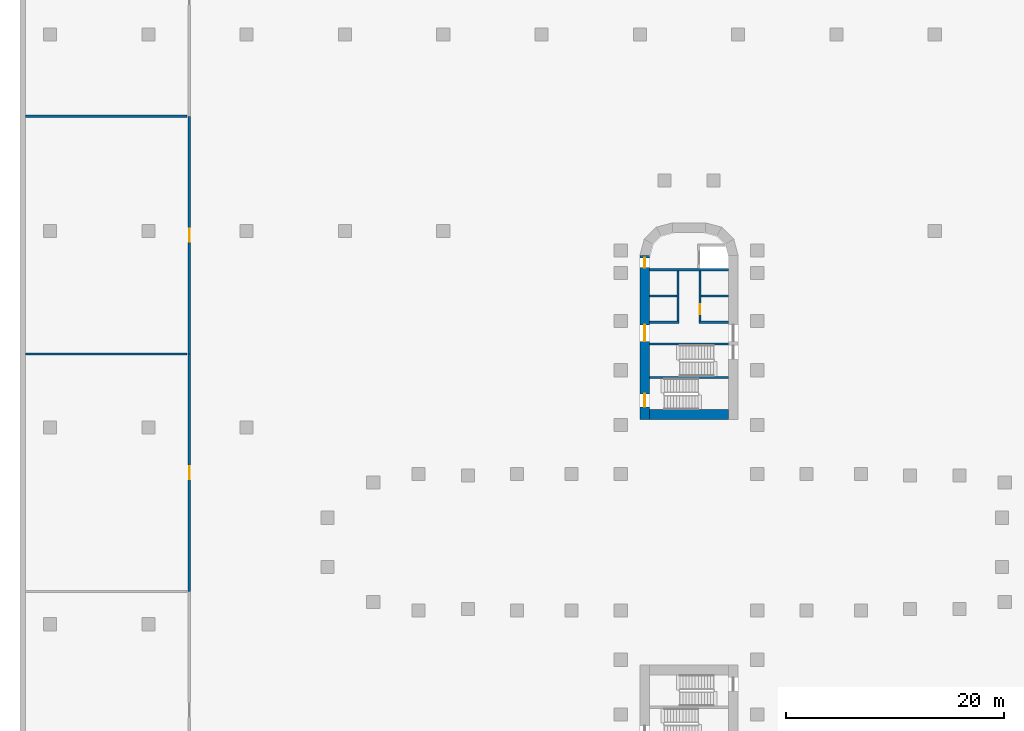
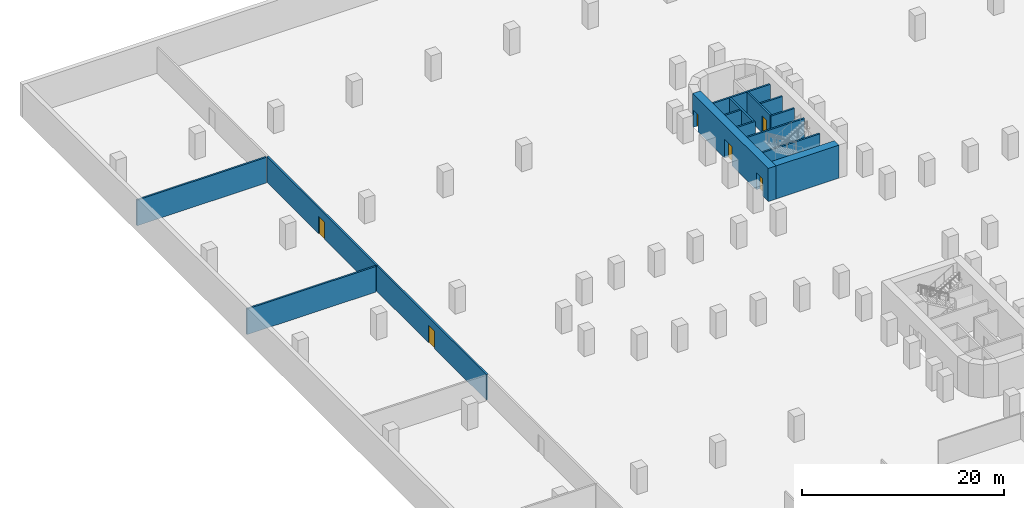
# One storey, part 8 of 11: 15 walls, 6 doors, 6 openings.
"""IFC4 building model written with IfcOpenShell, lengths in metres."""

from ifc_helpers import new_model, si_unit, direction, frame, frame_2d, origin, place, context, subcontext, project, spatial, rectangle, extrude, material, layer, layer_set, type_object, element, fill, save


model = new_model("IFC4")

# Units and contexts
model_context = context("Model", 3, precision=1e-05, world=origin(), true_north=direction((0.0, 1.0)))
body_context = subcontext(model_context, "Body", "Model", "MODEL_VIEW")
ifc_project = project(units=[si_unit("LENGTHUNIT", "METRE"), si_unit("AREAUNIT", "SQUARE_METRE"), si_unit("VOLUMEUNIT", "CUBIC_METRE"), si_unit("PLANEANGLEUNIT", "RADIAN"), si_unit("MASSUNIT", "GRAM", prefix="KILO")], contexts=[model_context])

# Site, building, storey
site_placement = place(None, origin())
site = spatial("IfcSite", under=ifc_project, at=site_placement, CompositionType="ELEMENT")
building_placement = place(site_placement, origin())
building = spatial("IfcBuilding", under=site, at=building_placement, Name="Zarbagh Exchange Tower", CompositionType="ELEMENT")
storey_placement = place(building_placement, frame((0.0, 0.0, -4.0)))
storey = spatial("IfcBuildingStorey", under=building, at=storey_placement, Name="B1", CompositionType="ELEMENT", Elevation=-4.0)

# Wall, opening, door
ifc_material_1 = material(Name="Concrete block partition", Category="concrete")
ifc_layer_1 = layer(ifc_material_1, 0.199951171875)
ifc_layer_set_1 = layer_set([ifc_layer_1], Name="Fire-rated block partition 200 EI 120")
wall_type_1 = type_object("IfcWallType", Name="Fire-rated block partition 200 EI 120", PredefinedType="PARTITIONING", material=ifc_layer_set_1)
wall_1_placement = place(storey_placement, frame((-45.75, -4.5, 0.0), z_axis=(0.0, 0.0, 1.0), x_axis=(0.0, 1.0, 0.0)))
wall_1 = element("IfcWall", 1, at=wall_1_placement, inside=storey, type_object=wall_type_1, Name="WL-B1-W004", PredefinedType="PARTITIONING", context=body_context, shape_type="SweptSolid", body=[
    extrude(rectangle(XDim=21.75, YDim=0.199951171875, at=frame_2d((10.875, 0.0))), origin(), (0.0, 0.0, 1.0), 3.10009765625),
])
opening_1_placement = place(wall_1_placement, frame((10.27490234375, 0.0, 0.0)))
opening_1 = element("IfcOpeningElement", 2, at=opening_1_placement, cuts=wall_1, Name="Opening D39", PredefinedType="OPENING", context=body_context, shape_type="SweptSolid", body=[
    extrude(rectangle(XDim=1.199951171875, YDim=2.10009765625, at=frame_2d((0.60009765625, 1.050048828125))), frame((0.0, 0.10986328125, 0.0), z_axis=(0.0, -1.0, 0.0), x_axis=(1.0, 0.0, 0.0)), (0.0, 0.0, 1.0), 0.219970703125),
])
ifc_material_2 = material(Name="Steel door set", Category="steel")
door_type_1 = type_object("IfcDoorType", Name="Door single 1200x2100 EI 120", OperationType="SINGLE_SWING_LEFT", PredefinedType="DOOR", material=ifc_material_2)
door_1_placement = place(opening_1_placement, origin())
door_1 = element("IfcDoor", 3, at=door_1_placement, inside=storey, type_object=door_type_1, Name="D04", OperationType="SINGLE_SWING_LEFT", OverallHeight=2.10009765625, OverallWidth=1.199951171875, PredefinedType="DOOR", context=body_context, shape_type="SweptSolid", body=[
    extrude(rectangle(XDim=1.199951171875, YDim=2.10009765625, at=frame_2d((0.60009765625, 1.050048828125))), frame((0.0, 0.02490234375, 0.0), z_axis=(0.0, -1.0, 0.0), x_axis=(1.0, 0.0, 0.0)), (0.0, 0.0, 1.0), 0.050048828125),
])
fill(opening_1, door_1)

wall_2_placement = place(storey_placement, frame((-45.75, 17.25, 0.0), z_axis=(0.0, 0.0, 1.0), x_axis=(0.0, 1.0, 0.0)))
wall_2 = element("IfcWall", 4, at=wall_2_placement, inside=storey, type_object=wall_type_1, Name="WL-B1-W005", PredefinedType="PARTITIONING", context=body_context, shape_type="SweptSolid", body=[
    extrude(rectangle(XDim=21.75, YDim=0.199951171875, at=frame_2d((10.875, 0.0))), origin(), (0.0, 0.0, 1.0), 3.10009765625),
])
opening_2_placement = place(wall_2_placement, frame((10.27490234375, 0.0, 0.0)))
opening_2 = element("IfcOpeningElement", 5, at=opening_2_placement, cuts=wall_2, Name="Opening D05", PredefinedType="OPENING", context=body_context, shape_type="SweptSolid", body=[
    extrude(rectangle(XDim=1.199951171875, YDim=2.10009765625, at=frame_2d((0.60009765625, 1.050048828125))), frame((0.0, 0.10986328125, 0.0), z_axis=(0.0, -1.0, 0.0), x_axis=(1.0, 0.0, 0.0)), (0.0, 0.0, 1.0), 0.219970703125),
])
door_2_placement = place(opening_2_placement, origin())
door_2 = element("IfcDoor", 6, at=door_2_placement, inside=storey, type_object=door_type_1, Name="D05", OperationType="SINGLE_SWING_LEFT", OverallHeight=2.10009765625, OverallWidth=1.199951171875, PredefinedType="DOOR", context=body_context, shape_type="SweptSolid", body=[
    extrude(rectangle(XDim=1.199951171875, YDim=2.10009765625, at=frame_2d((0.60009765625, 1.050048828125))), frame((0.0, 0.02490234375, 0.0), z_axis=(0.0, -1.0, 0.0), x_axis=(1.0, 0.0, 0.0)), (0.0, 0.0, 1.0), 0.050048828125),
])
fill(opening_2, door_2)

# Walls
for number, where, z_axis, x_axis, name in (
    (7, (-60.75, 17.25, 0.0), (0.0, 0.0, 1.0), (1.0, 0.0, 0.0), "WL-B1-W012"),
    (8, (-60.75, 39.0, 0.0), (0.0, 0.0, 1.0), (1.0, 0.0, 0.0), "WL-B1-W013"),
):
    element("IfcWall", number, at=place(storey_placement, frame(where, z_axis=z_axis, x_axis=x_axis)), inside=storey, type_object=wall_type_1, Name=name, PredefinedType="PARTITIONING", context=body_context, shape_type="SweptSolid", body=[
        extrude(rectangle(XDim=14.800048828125, YDim=0.199951171875, at=frame_2d((7.39990234375, 0.0))), origin(), (0.0, 0.0, 1.0), 3.10009765625),
    ])

# Wall, openings, doors
ifc_material_3 = material(Name="Concrete C60/75", Category="concrete")
ifc_layer_2 = layer(ifc_material_3, 0.89990234375)
ifc_layer_set_2 = layer_set([ifc_layer_2], Name="RC core wall 900 C60/75")
wall_type_2 = type_object("IfcWallType", Name="RC core wall 900 C60/75", PredefinedType="SHEAR", material=ifc_layer_set_2)
wall_3_placement = place(storey_placement, frame((-4.050048828125, 11.25, 0.0), z_axis=(0.0, 0.0, 1.0), x_axis=(0.0, 1.0, 0.0)))
wall_3 = element("IfcWall", 9, at=wall_3_placement, inside=storey, type_object=wall_type_2, Name="CW1 core N W", PredefinedType="SHEAR", context=body_context, shape_type="SweptSolid", body=[
    extrude(rectangle(XDim=15.0, YDim=0.89990234375, at=frame_2d((7.5, 0.0))), origin(), (0.0, 0.0, 1.0), 4.0),
])
opening_3_placement = place(wall_3_placement, frame((7.14990234375, 0.0, 0.0)))
opening_3 = element("IfcOpeningElement", 10, at=opening_3_placement, cuts=wall_3, Name="Opening CD1-1500", PredefinedType="OPENING", context=body_context, shape_type="SweptSolid", body=[
    extrude(rectangle(XDim=1.5, YDim=2.300048828125, at=frame_2d((0.75, 1.14990234375))), frame((0.0, 0.4599609375, 0.0), z_axis=(0.0, -1.0, 0.0), x_axis=(1.0, 0.0, 0.0)), (0.0, 0.0, 1.0), 0.919921875),
])
opening_4_placement = place(wall_3_placement, frame((13.89990234375, 0.0, 0.0)))
opening_4 = element("IfcOpeningElement", 11, at=opening_4_placement, cuts=wall_3, Name="Opening CD2-900", PredefinedType="OPENING", context=body_context, shape_type="SweptSolid", body=[
    extrude(rectangle(XDim=0.89990234375, YDim=2.10009765625, at=frame_2d((0.449951171875, 1.050048828125))), frame((0.0, 0.4599609375, 0.0), z_axis=(0.0, -1.0, 0.0), x_axis=(1.0, 0.0, 0.0)), (0.0, 0.0, 1.0), 0.919921875),
])
opening_5_placement = place(wall_3_placement, frame((1.14990234375, 0.0, 0.0)))
opening_5 = element("IfcOpeningElement", 12, at=opening_5_placement, cuts=wall_3, Name="Opening SD1-1200", PredefinedType="OPENING", context=body_context, shape_type="SweptSolid", body=[
    extrude(rectangle(XDim=1.199951171875, YDim=2.10009765625, at=frame_2d((0.60009765625, 1.050048828125))), frame((0.0, 0.4599609375, 0.0), z_axis=(0.0, -1.0, 0.0), x_axis=(1.0, 0.0, 0.0)), (0.0, 0.0, 1.0), 0.919921875),
])
ifc_material_4 = material(Name="Steel", Category="steel")
door_type_2 = type_object("IfcDoorType", Name="Exit stair door 1200 x 2100", OperationType="NOTDEFINED", PredefinedType="DOOR", material=ifc_material_4)
door_3_placement = place(opening_5_placement, origin())
door_3 = element("IfcDoor", 13, at=door_3_placement, inside=storey, type_object=door_type_2, Name="North core stair door ST2", OperationType="SINGLE_SWING_RIGHT", OverallHeight=2.10009765625, OverallWidth=1.199951171875, PredefinedType="DOOR", context=body_context, shape_type="SweptSolid", body=[
    extrude(rectangle(XDim=1.199951171875, YDim=2.10009765625, at=frame_2d((0.60009765625, 1.050048828125))), frame((0.0, 0.02490234375, 0.0), z_axis=(0.0, -1.0, 0.0), x_axis=(1.0, 0.0, 0.0)), (0.0, 0.0, 1.0), 0.050048828125),
])
fill(opening_5, door_3)
door_type_3 = type_object("IfcDoorType", Name="Firefighting lobby door 900 x 2100", OperationType="NOTDEFINED", PredefinedType="DOOR", material=ifc_material_4)
door_4_placement = place(opening_4_placement, origin())
door_4 = element("IfcDoor", 14, at=door_4_placement, inside=storey, type_object=door_type_3, Name="North core firefighting lobby door FF-W", OperationType="SINGLE_SWING_LEFT", OverallHeight=2.10009765625, OverallWidth=0.89990234375, PredefinedType="DOOR", context=body_context, shape_type="SweptSolid", body=[
    extrude(rectangle(XDim=0.89990234375, YDim=2.10009765625, at=frame_2d((0.449951171875, 1.050048828125))), frame((0.0, 0.02490234375, 0.0), z_axis=(0.0, -1.0, 0.0), x_axis=(1.0, 0.0, 0.0)), (0.0, 0.0, 1.0), 0.050048828125),
])
fill(opening_4, door_4)
door_type_4 = type_object("IfcDoorType", Name="Lift lobby double door 1500 x 2300", OperationType="NOTDEFINED", PredefinedType="DOOR", material=ifc_material_4)
door_5_placement = place(opening_3_placement, origin())
door_5 = element("IfcDoor", 15, at=door_5_placement, inside=storey, type_object=door_type_4, Name="North core lift lobby door LOBBY-W", OperationType="DOUBLE_DOOR_SINGLE_SWING", OverallHeight=2.300048828125, OverallWidth=1.5, PredefinedType="DOOR", context=body_context, shape_type="SweptSolid", body=[
    extrude(rectangle(XDim=1.5, YDim=2.300048828125, at=frame_2d((0.75, 1.14990234375))), frame((0.0, 0.02490234375, 0.0), z_axis=(0.0, -1.0, 0.0), x_axis=(1.0, 0.0, 0.0)), (0.0, 0.0, 1.0), 0.050048828125),
])
fill(opening_3, door_5)

# Walls
wall_4_placement = place(storey_placement, frame((-3.60009765625, 11.699951171875, 0.0), z_axis=(0.0, 0.0, 1.0), x_axis=(1.0, 0.0, 0.0)))
element("IfcWall", 16, at=wall_4_placement, inside=storey, type_object=wall_type_2, Name="CW1 core N inner end", PredefinedType="SHEAR", context=body_context, shape_type="SweptSolid", body=[
    extrude(rectangle(XDim=7.2001953125, YDim=0.89990234375, at=frame_2d((3.60009765625, 0.0))), origin(), (0.0, 0.0, 1.0), 4.0),
])
ifc_material_5 = material(Name="Dense blockwork", Category="masonry")
ifc_layer_3 = layer(ifc_material_5, 0.199951171875)
ifc_layer_set_3 = layer_set([ifc_layer_3], Name="Shaft wall 200 mm blockwork")
wall_type_3 = type_object("IfcWallType", Name="Shaft wall 200 mm blockwork", PredefinedType="PARTITIONING", material=ifc_layer_set_3)
wall_5_placement = place(storey_placement, frame((-3.60009765625, 20.14990234375, 0.0), z_axis=(0.0, 0.0, 1.0), x_axis=(1.0, 0.0, 0.0)))
element("IfcWall", 17, at=wall_5_placement, inside=storey, type_object=wall_type_3, Name="North core shaft wall AB-W", PredefinedType="PARTITIONING", context=body_context, shape_type="SweptSolid", body=[
    extrude(rectangle(XDim=2.7001953125, YDim=0.199951171875, at=frame_2d((1.35009765625, 0.0))), origin(), (0.0, 0.0, 1.0), 3.10009765625),
])
wall_6_placement = place(storey_placement, frame((-1.0, 24.85009765625, 0.0), z_axis=(0.0, 0.0, 1.0), x_axis=(0.0, -1.0, 0.0)))
element("IfcWall", 18, at=wall_6_placement, inside=storey, type_object=wall_type_3, Name="North core shaft wall LW-W", PredefinedType="PARTITIONING", context=body_context, shape_type="SweptSolid", body=[
    extrude(rectangle(XDim=4.60009765625, YDim=0.199951171875, at=frame_2d((2.300048828125, 0.0))), origin(), (0.0, 0.0, 1.0), 3.10009765625),
])
wall_7_placement = place(storey_placement, frame((0.89990234375, 20.14990234375, 0.0), z_axis=(0.0, 0.0, 1.0), x_axis=(1.0, 0.0, 0.0)))
element("IfcWall", 19, at=wall_7_placement, inside=storey, type_object=wall_type_3, Name="North core shaft wall AB-E", PredefinedType="PARTITIONING", context=body_context, shape_type="SweptSolid", body=[
    extrude(rectangle(XDim=2.7001953125, YDim=0.199951171875, at=frame_2d((1.35009765625, 0.0))), origin(), (0.0, 0.0, 1.0), 3.10009765625),
])

# Wall, opening, door
wall_8_placement = place(storey_placement, frame((1.0, 24.85009765625, 0.0), z_axis=(0.0, 0.0, 1.0), x_axis=(0.0, -1.0, 0.0)))
wall_8 = element("IfcWall", 20, at=wall_8_placement, inside=storey, type_object=wall_type_3, Name="North core shaft wall LW-E", PredefinedType="PARTITIONING", context=body_context, shape_type="SweptSolid", body=[
    extrude(rectangle(XDim=4.60009765625, YDim=0.199951171875, at=frame_2d((2.300048828125, 0.0))), origin(), (0.0, 0.0, 1.0), 3.10009765625),
])
opening_6_placement = place(wall_8_placement, frame((3.050048828125, 0.0, 0.0)))
opening_6 = element("IfcOpeningElement", 21, at=opening_6_placement, cuts=wall_8, Name="Opening CD3-900", PredefinedType="OPENING", context=body_context, shape_type="SweptSolid", body=[
    extrude(rectangle(XDim=0.89990234375, YDim=2.10009765625, at=frame_2d((0.449951171875, 1.050048828125))), frame((0.0, 0.10986328125, 0.0), z_axis=(0.0, -1.0, 0.0), x_axis=(1.0, 0.0, 0.0)), (0.0, 0.0, 1.0), 0.219970703125),
])
door_type_5 = type_object("IfcDoorType", Name="Core room door 900 x 2100", OperationType="NOTDEFINED", PredefinedType="DOOR", material=ifc_material_4)
door_6_placement = place(opening_6_placement, origin())
door_6 = element("IfcDoor", 22, at=door_6_placement, inside=storey, type_object=door_type_5, Name="North core Pump room door RD-E-0", OperationType="SINGLE_SWING_RIGHT", OverallHeight=2.10009765625, OverallWidth=0.89990234375, PredefinedType="DOOR", context=body_context, shape_type="SweptSolid", body=[
    extrude(rectangle(XDim=0.89990234375, YDim=2.10009765625, at=frame_2d((0.449951171875, 1.050048828125))), frame((0.0, 0.02490234375, 0.0), z_axis=(0.0, -1.0, 0.0), x_axis=(1.0, 0.0, 0.0)), (0.0, 0.0, 1.0), 0.050048828125),
])
fill(opening_6, door_6)

# Walls
for number, where, z_axis, x_axis, name in (
    (23, (-3.60009765625, 22.550048828125, 0.0), (0.0, 0.0, 1.0), (1.0, 0.0, 0.0), "North core shaft wall TR-W"),
    (24, (1.10009765625, 22.550048828125, 0.0), (0.0, 0.0, 1.0), (1.0, 0.0, 0.0), "North core shaft wall TR-E"),
):
    element("IfcWall", number, at=place(storey_placement, frame(where, z_axis=z_axis, x_axis=x_axis)), inside=storey, type_object=wall_type_3, Name=name, PredefinedType="PARTITIONING", context=body_context, shape_type="SweptSolid", body=[
        extrude(rectangle(XDim=2.5, YDim=0.199951171875, at=frame_2d((1.25, 0.0))), origin(), (0.0, 0.0, 1.0), 3.10009765625),
    ])
ifc_material_6 = material(Name="Concrete C40/50", Category="concrete")
ifc_layer_4 = layer(ifc_material_6, 0.199951171875)
ifc_layer_set_4 = layer_set([ifc_layer_4], Name="Stair enclosure wall 200 mm RC C40/50")
wall_type_4 = type_object("IfcWallType", Name="Stair enclosure wall 200 mm RC C40/50", PredefinedType="SHEAR", material=ifc_layer_set_4)
for number, where, z_axis, x_axis, name in (
    (25, (-3.60009765625, 24.949951171875, 0.0), (0.0, 0.0, 1.0), (1.0, 0.0, 0.0), "North core lift shaft wall FFA"),
    (26, (-3.60009765625, 18.14990234375, 0.0), (0.0, 0.0, 1.0), (1.0, 0.0, 0.0), "North core stair wall BS"),
    (27, (-3.60009765625, 15.10009765625, 0.0), (0.0, 0.0, 1.0), (1.0, 0.0, 0.0), "North core stair wall ST12"),
):
    element("IfcWall", number, at=place(storey_placement, frame(where, z_axis=z_axis, x_axis=x_axis)), inside=storey, type_object=wall_type_4, Name=name, PredefinedType="SHEAR", context=body_context, shape_type="SweptSolid", body=[
        extrude(rectangle(XDim=7.2001953125, YDim=0.199951171875, at=frame_2d((3.60009765625, 0.0))), origin(), (0.0, 0.0, 1.0), 3.10009765625),
    ])

save(model, "model.ifc")
